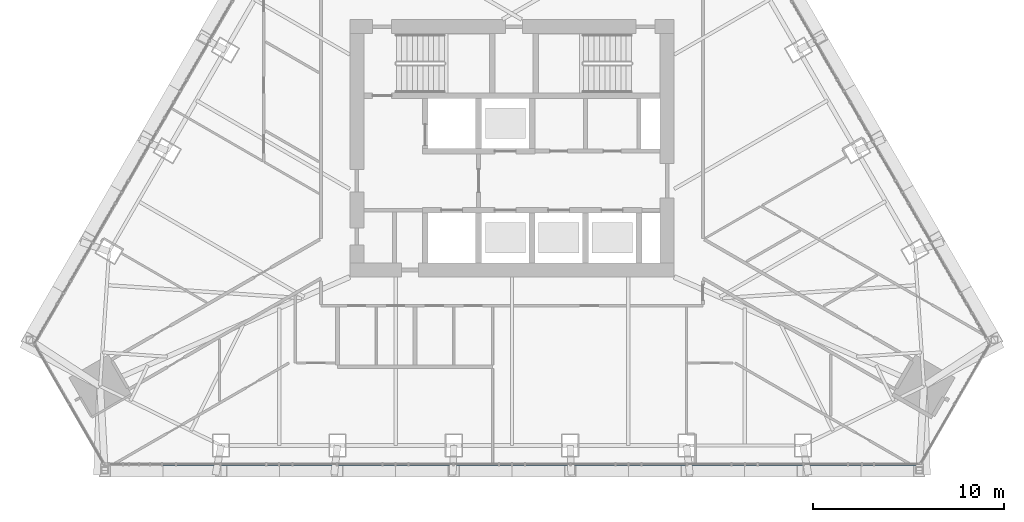
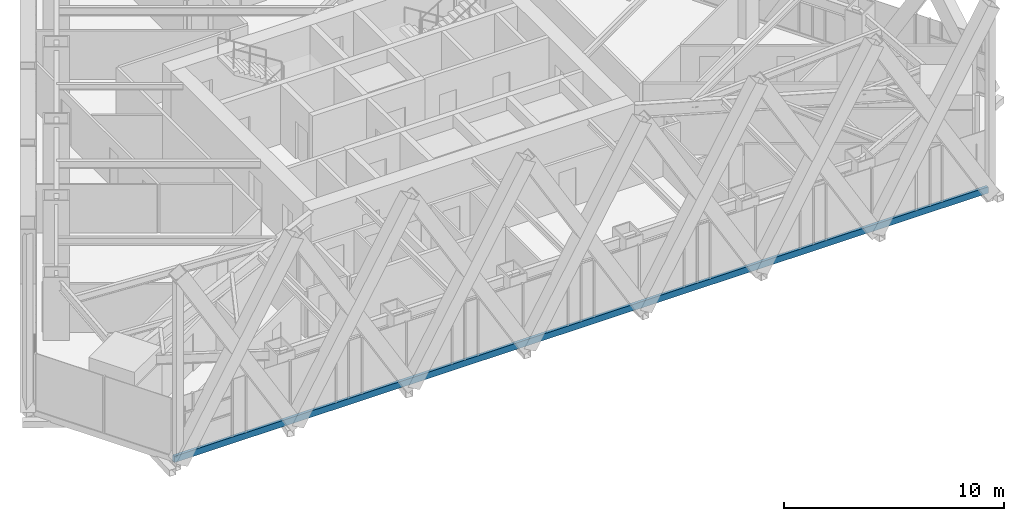
# One storey, part 3 of 23: 1 member, 1 element without a shape of its own.
"""IFC4 building model written with IfcOpenShell, lengths in metres."""

from ifc_helpers import new_model, si_unit, direction, frame, origin, origin_2d, place, context, subcontext, project, spatial, rectangle, extrude, material, layer, layer_set, material_profile, profile_set, type_object, element, aggregate, save


model = new_model("IFC4")

# Units and contexts
model_context = context("Model", 3, precision=1e-05, world=origin(), true_north=direction((0.0, 1.0)))
body_context = subcontext(model_context, "Body", "Model", "MODEL_VIEW")
ifc_project = project(units=[si_unit("LENGTHUNIT", "METRE"), si_unit("AREAUNIT", "SQUARE_METRE"), si_unit("VOLUMEUNIT", "CUBIC_METRE"), si_unit("PLANEANGLEUNIT", "RADIAN"), si_unit("MASSUNIT", "GRAM", prefix="KILO")], contexts=[model_context])

# Site, building, storey
site_placement = place(None, origin())
site = spatial("IfcSite", under=ifc_project, at=site_placement, CompositionType="ELEMENT")
building_placement = place(site_placement, origin())
building = spatial("IfcBuilding", under=site, at=building_placement, Name="Firuza Gate Tower and Library", CompositionType="ELEMENT")
storey_placement = place(building_placement, frame((0.0, 0.0, 302.10009765625)))
storey = spatial("IfcBuildingStorey", under=building, at=storey_placement, Name="L73", CompositionType="ELEMENT", Elevation=302.10009765625)

# Curtain wall, member
ifc_material_1 = material(Name="Aluminium 6063-T6", Category="aluminium")
ifc_layer = layer(ifc_material_1, 0.14990234375)
ifc_layer_set = layer_set([ifc_layer], Name="Unitised curtain wall, residences")
curtain_wall_type = type_object("IfcCurtainWallType", Name="Unitised curtain wall, residences", PredefinedType="NOTDEFINED", material=ifc_layer_set)
curtain_wall_placement = place(storey_placement, origin())
curtain_wall = element("IfcCurtainWall", 1, at=curtain_wall_placement, inside=storey, type_object=curtain_wall_type, Name="CW3 L73 S face", PredefinedType="NOTDEFINED")
ifc_material_2 = material(Name="Aluminium 6063-T6", Category="aluminium")
ifc_material_profile = material_profile(ifc_material_2, rectangle(XDim=0.14990234375, YDim=0.35009765625, at=origin_2d()))
ifc_profile_set = profile_set([ifc_material_profile], Name="Aluminium 6063-T6")
member_type = type_object("IfcMemberType", Name="Curtain wall transom 350x150", PredefinedType="USERDEFINED", material=ifc_profile_set)
member_placement = place(storey_placement, frame((53.62060546875, 58.44970703125, -0.025146484375), z_axis=(1.0, 0.0, 0.0), x_axis=(0.0, 1.0, 0.0)))
member = element("IfcMember", 2, at=member_placement, type_object=member_type, Name="Transom", ObjectType="TRANSOM", PredefinedType="USERDEFINED", context=body_context, shape_type="SweptSolid", body=[
    extrude(rectangle(XDim=0.14990234375, YDim=0.35009765625, at=origin_2d()), origin(), (0.0, 0.0, 1.0), 42.7587890625),
])
aggregate(curtain_wall, [member])

save(model, "model.ifc")
